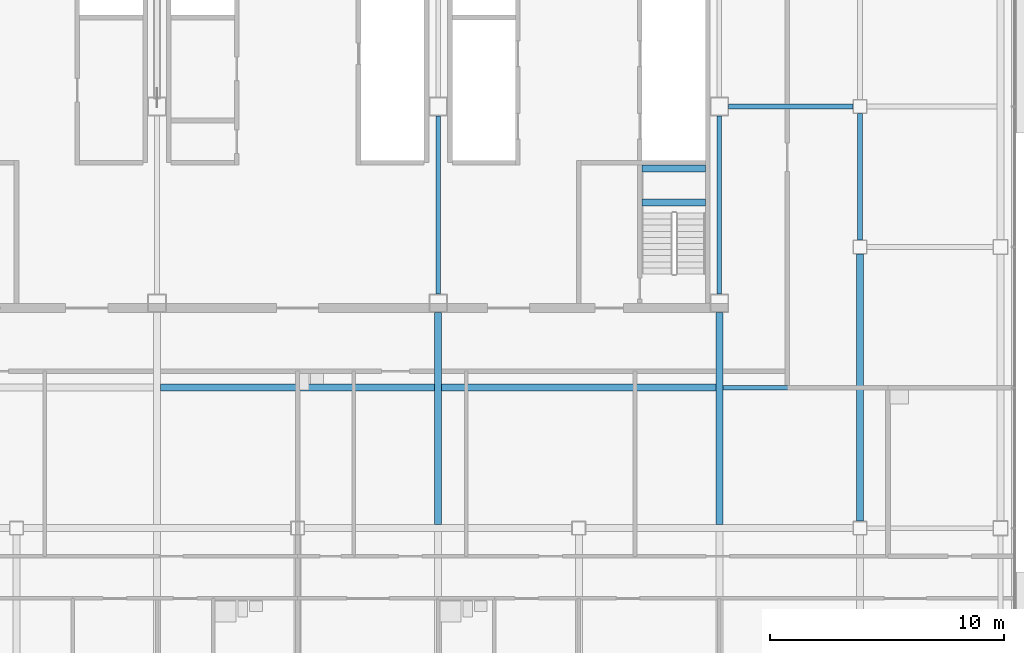
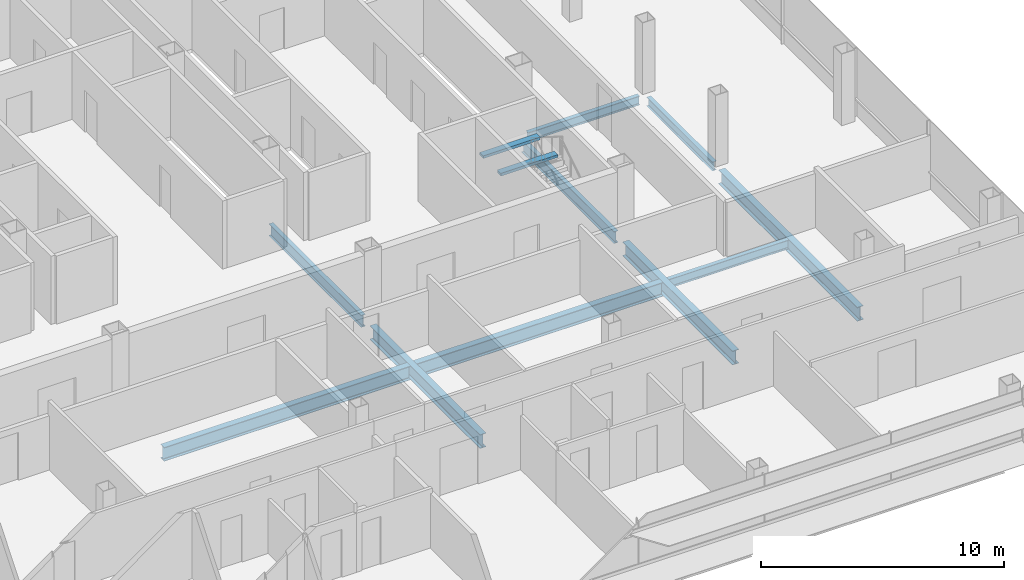
# One storey, part 10 of 27: 12 beams.
"""IFC4 building model written with IfcOpenShell, lengths in metres."""

from ifc_helpers import new_model, si_unit, direction, frame, origin, origin_2d, place, context, subcontext, project, spatial, rectangle, i_section, extrude, material, material_profile, profile_set, type_object, element, save


model = new_model("IFC4")

# Units and contexts
model_context = context("Model", 3, precision=1e-05, world=origin(), true_north=direction((0.0, 1.0)))
body_context = subcontext(model_context, "Body", "Model", "MODEL_VIEW")
ifc_project = project(units=[si_unit("LENGTHUNIT", "METRE"), si_unit("AREAUNIT", "SQUARE_METRE"), si_unit("VOLUMEUNIT", "CUBIC_METRE"), si_unit("PLANEANGLEUNIT", "RADIAN"), si_unit("MASSUNIT", "GRAM", prefix="KILO")], contexts=[model_context])

# Site, building, storey
site_placement = place(None, origin())
site = spatial("IfcSite", under=ifc_project, at=site_placement, CompositionType="ELEMENT")
building_placement = place(site_placement, origin())
building = spatial("IfcBuilding", under=site, at=building_placement, Name="Sorahane Residences", CompositionType="ELEMENT")
storey_placement = place(building_placement, frame((0.0, 0.0, 226.199951171875)))
storey = spatial("IfcBuildingStorey", under=building, at=storey_placement, Name="L53", CompositionType="ELEMENT", Elevation=226.199951171875)

# Beams
ifc_material_1 = material(Name="Concrete C40", Category="concrete")
ifc_material_profile_1 = material_profile(ifc_material_1, rectangle(XDim=0.300048828125, YDim=0.139892578125, at=origin_2d()), Name="300x140")
ifc_profile_set_1 = profile_set([ifc_material_profile_1], Name="Concrete C40")
beam_type_1 = type_object("IfcBeamType", Name="RC landing beam 300 x 140 Concrete C40", PredefinedType="BEAM", material=ifc_profile_set_1)
for number, where, z_axis, x_axis, name in (
    (1, (38.699951171875, 25.89990234375, 1.530029296875), (1.0, 0.0, 0.0), (0.0, 1.0, 0.0), "Landing beam"),
    (2, (38.699951171875, 27.35009765625, 1.530029296875), (1.0, 0.0, 0.0), (0.0, 1.0, 0.0), "Landing beam"),
):
    element("IfcBeam", number, at=place(storey_placement, frame(where, z_axis=z_axis, x_axis=x_axis)), inside=storey, type_object=beam_type_1, Name=name, PredefinedType="BEAM", context=body_context, shape_type="SweptSolid", body=[
        extrude(rectangle(XDim=0.300048828125, YDim=0.139892578125, at=origin_2d()), origin(), (0.0, 0.0, 1.0), 2.699951171875),
    ])
ifc_material_2 = material(Name="Steel Q355B", Category="steel")
ifc_material_profile_2 = material_profile(ifc_material_2, i_section(OverallWidth=0.199951171875, OverallDepth=0.449951171875, WebThickness=0.009033203125, FlangeThickness=0.013916015625, FilletRadius=0.02001953125, at=origin_2d()), Name="HN 450x200x9x14")
ifc_profile_set_2 = profile_set([ifc_material_profile_2], Name="Steel Q355B")
beam_type_2 = type_object("IfcBeamType", Name="Steel floor beam HN 450x200x9x14 Q355B", PredefinedType="BEAM", material=ifc_profile_set_2)
beam_1_placement = place(storey_placement, frame((48.0, 24.300048828125, -0.405029296875), z_axis=(0.0, 1.0, 0.0), x_axis=(-1.0, 0.0, 0.0)))
element("IfcBeam", 3, at=beam_1_placement, inside=storey, type_object=beam_type_2, Name="Beam L53 060", PredefinedType="BEAM", context=body_context, shape_type="SweptSolid", body=[
    extrude(i_section(OverallWidth=0.199951171875, OverallDepth=0.449951171875, WebThickness=0.009033203125, FlangeThickness=0.013916015625, FilletRadius=0.02001953125, at=origin_2d()), origin(), (0.0, 0.0, 1.0), 5.39990234375),
])
beam_2_placement = place(storey_placement, frame((42.14990234375, 18.0, -0.405029296875), z_axis=(1.0, 0.0, 0.0), x_axis=(0.0, 1.0, 0.0)))
element("IfcBeam", 4, at=beam_2_placement, inside=storey, type_object=beam_type_2, Name="Beam L53 083", PredefinedType="BEAM", context=body_context, shape_type="SweptSolid", body=[
    extrude(i_section(OverallWidth=0.199951171875, OverallDepth=0.449951171875, WebThickness=0.009033203125, FlangeThickness=0.013916015625, FilletRadius=0.02001953125, at=origin_2d()), origin(), (0.0, 0.0, 1.0), 5.7001953125),
])
beam_3_placement = place(storey_placement, frame((42.39990234375, 30.0, -0.405029296875), z_axis=(1.0, 0.0, 0.0), x_axis=(0.0, 1.0, 0.0)))
element("IfcBeam", 5, at=beam_3_placement, inside=storey, type_object=beam_type_2, Name="Beam L53 087", PredefinedType="BEAM", context=body_context, shape_type="SweptSolid", body=[
    extrude(i_section(OverallWidth=0.199951171875, OverallDepth=0.449951171875, WebThickness=0.009033203125, FlangeThickness=0.013916015625, FilletRadius=0.02001953125, at=origin_2d()), origin(), (0.0, 0.0, 1.0), 5.300048828125),
])
ifc_material_3 = material(Name="Steel Q355B", Category="steel")
ifc_material_profile_3 = material_profile(ifc_material_3, i_section(OverallWidth=0.199951171875, OverallDepth=0.60009765625, WebThickness=0.010986328125, FlangeThickness=0.01708984375, FilletRadius=0.02392578125, at=origin_2d()), Name="HN 600x200x11x17")
ifc_profile_set_3 = profile_set([ifc_material_profile_3], Name="Steel Q355B")
beam_type_3 = type_object("IfcBeamType", Name="Steel floor beam HN 600x200x11x17 Q355B", PredefinedType="BEAM", material=ifc_profile_set_3)
for number, where, z_axis, x_axis, name in (
    (6, (30.0, 22.0, -0.47998046875), (0.0, 1.0, 0.0), (-1.0, 0.0, 0.0), "Beam L53 046"),
    (7, (42.0, 22.0, -0.47998046875), (0.0, 1.0, 0.0), (-1.0, 0.0, 0.0), "Beam L53 054"),
):
    element("IfcBeam", number, at=place(storey_placement, frame(where, z_axis=z_axis, x_axis=x_axis)), inside=storey, type_object=beam_type_3, Name=name, PredefinedType="BEAM", context=body_context, shape_type="SweptSolid", body=[
        extrude(i_section(OverallWidth=0.199951171875, OverallDepth=0.60009765625, WebThickness=0.010986328125, FlangeThickness=0.01708984375, FilletRadius=0.02392578125, at=origin_2d()), origin(), (0.0, 0.0, 1.0), 7.60009765625),
    ])
ifc_material_4 = material(Name="Steel Q355B", Category="steel")
ifc_material_profile_4 = material_profile(ifc_material_4, i_section(OverallWidth=0.300048828125, OverallDepth=0.699951171875, WebThickness=0.012939453125, FlangeThickness=0.02392578125, FilletRadius=0.028076171875, at=origin_2d()), Name="HN 700x300x13x24")
ifc_profile_set_4 = profile_set([ifc_material_profile_4], Name="Steel Q355B")
beam_type_4 = type_object("IfcBeamType", Name="Steel floor beam HN 700x300x13x24 Q355B", PredefinedType="BEAM", material=ifc_profile_set_4)
for number, where, z_axis, x_axis, name in (
    (8, (30.0, 12.14990234375, -0.530029296875), (0.0, 1.0, 0.0), (-1.0, 0.0, 0.0), "Beam L53 045"),
    (9, (42.0, 12.14990234375, -0.530029296875), (0.0, 1.0, 0.0), (-1.0, 0.0, 0.0), "Beam L53 053"),
):
    element("IfcBeam", number, at=place(storey_placement, frame(where, z_axis=z_axis, x_axis=x_axis)), inside=storey, type_object=beam_type_4, Name=name, PredefinedType="BEAM", context=body_context, shape_type="SweptSolid", body=[
        extrude(i_section(OverallWidth=0.300048828125, OverallDepth=0.699951171875, WebThickness=0.012939453125, FlangeThickness=0.02392578125, FilletRadius=0.028076171875, at=origin_2d()), origin(), (0.0, 0.0, 1.0), 9.050048828125),
    ])
beam_4_placement = place(storey_placement, frame((48.0, 12.300048828125, -0.530029296875), z_axis=(0.0, 1.0, 0.0), x_axis=(-1.0, 0.0, 0.0)))
element("IfcBeam", 10, at=beam_4_placement, inside=storey, type_object=beam_type_4, Name="Beam L53 059", PredefinedType="BEAM", context=body_context, shape_type="SweptSolid", body=[
    extrude(i_section(OverallWidth=0.300048828125, OverallDepth=0.699951171875, WebThickness=0.012939453125, FlangeThickness=0.02392578125, FilletRadius=0.028076171875, at=origin_2d()), origin(), (0.0, 0.0, 1.0), 11.39990234375),
])
for number, where, z_axis, x_axis, name in (
    (11, (18.14990234375, 18.0, -0.530029296875), (1.0, 0.0, 0.0), (0.0, 1.0, 0.0), "Beam L53 081"),
    (12, (30.14990234375, 18.0, -0.530029296875), (1.0, 0.0, 0.0), (0.0, 1.0, 0.0), "Beam L53 082"),
):
    element("IfcBeam", number, at=place(storey_placement, frame(where, z_axis=z_axis, x_axis=x_axis)), inside=storey, type_object=beam_type_4, Name=name, PredefinedType="BEAM", context=body_context, shape_type="SweptSolid", body=[
        extrude(i_section(OverallWidth=0.300048828125, OverallDepth=0.699951171875, WebThickness=0.012939453125, FlangeThickness=0.02392578125, FilletRadius=0.028076171875, at=origin_2d()), origin(), (0.0, 0.0, 1.0), 11.7001953125),
    ])

save(model, "model.ifc")
